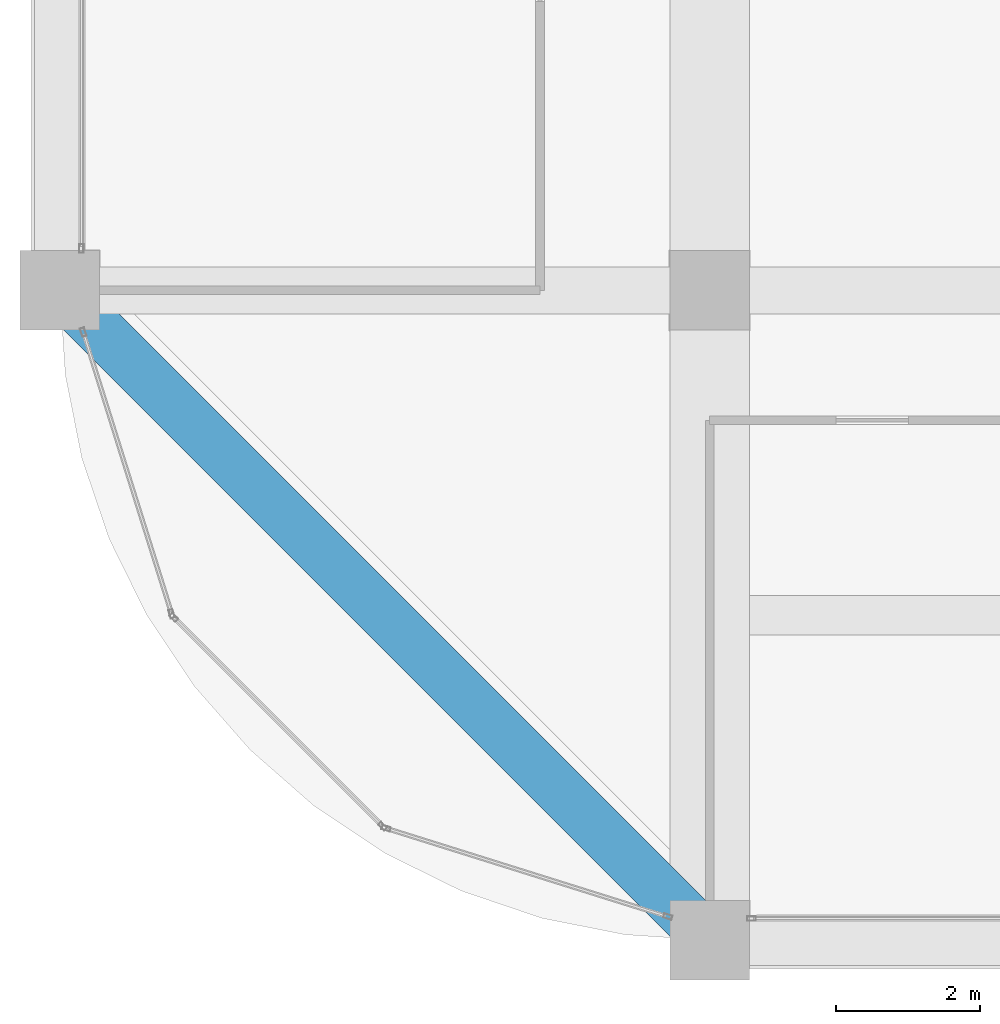
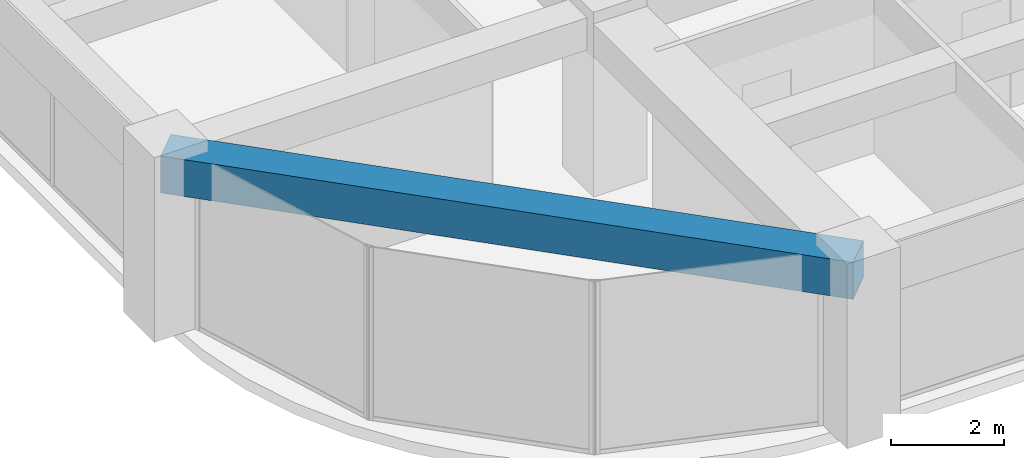
# One storey, part 3 of 44: 1 beam.
"""IFC4 building model written with IfcOpenShell, lengths in metres."""

from ifc_helpers import new_model, si_unit, direction, frame, origin, origin_2d, place, context, subcontext, project, spatial, rectangle, extrude, material, material_profile, profile_set, type_object, element, save


model = new_model("IFC4")

# Units and contexts
model_context = context("Model", 3, precision=1e-05, world=origin(), true_north=direction((0.0, 1.0)))
body_context = subcontext(model_context, "Body", "Model", "MODEL_VIEW")
ifc_project = project(units=[si_unit("LENGTHUNIT", "METRE"), si_unit("AREAUNIT", "SQUARE_METRE"), si_unit("VOLUMEUNIT", "CUBIC_METRE"), si_unit("PLANEANGLEUNIT", "RADIAN"), si_unit("MASSUNIT", "GRAM", prefix="KILO")], contexts=[model_context])

# Site, building, storey
site_placement = place(None, origin())
site = spatial("IfcSite", under=ifc_project, at=site_placement, CompositionType="ELEMENT")
building_placement = place(site_placement, origin())
building = spatial("IfcBuilding", under=site, at=building_placement, Name="Zorevar Civic Tower", CompositionType="ELEMENT")
storey_placement = place(building_placement, frame((0.0, 0.0, 283.39990234375)))
storey = spatial("IfcBuildingStorey", under=building, at=storey_placement, Name="L69", CompositionType="ELEMENT", Elevation=283.39990234375)

# Beam
ifc_material = material(Name="Concrete C50/60", Category="concrete")
ifc_material_profile = material_profile(ifc_material, rectangle(XDim=0.699951171875, YDim=0.800048828125, at=origin_2d()), Name="RC 700x800")
ifc_profile_set = profile_set([ifc_material_profile], Name="Concrete C50/60")
beam_type = type_object("IfcBeamType", Name="Edge beam RC 700x800", PredefinedType="SPANDREL", material=ifc_profile_set)
beam_placement = place(storey_placement, frame((9.0, 9.0, 3.35009765625), z_axis=(0.707106781187, -0.707106781187, 0.0), x_axis=(0.707106781187, 0.707106781187, 0.0)))
element("IfcBeam", 1, at=beam_placement, inside=storey, type_object=beam_type, Name="Corner edge beam L70", PredefinedType="SPANDREL", context=body_context, shape_type="SweptSolid", body=[
    extrude(rectangle(XDim=0.699951171875, YDim=0.800048828125, at=origin_2d()), origin(), (0.0, 0.0, 1.0), 12.72802734375),
])

save(model, "model.ifc")
